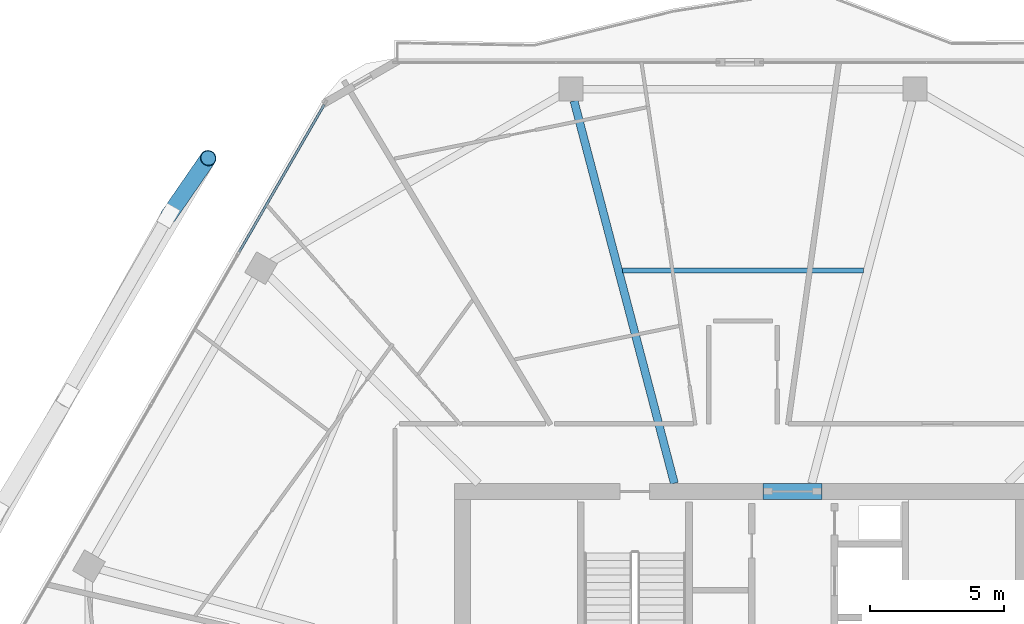
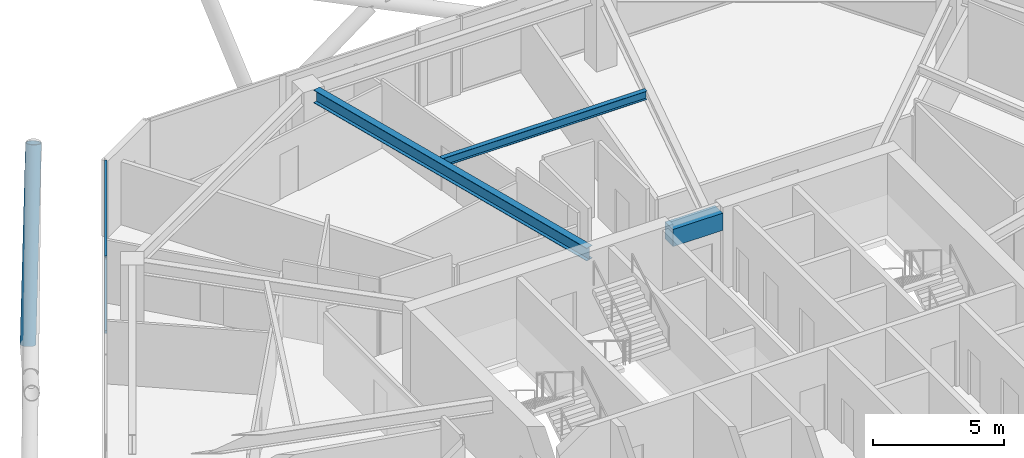
# One storey, part 14 of 28: 3 beams, 3 members, 1 element without a shape of its own.
"""IFC4 building model written with IfcOpenShell, lengths in metres."""

from ifc_helpers import new_model, si_unit, direction, frame, origin, origin_2d, place, context, subcontext, project, spatial, rectangle, hollow_rectangle, hollow_circle, i_section, extrude, material, material_profile, profile_set, type_object, element, aggregate, save


model = new_model("IFC4")

# Units and contexts
model_context = context("Model", 3, precision=1e-05, world=origin(), true_north=direction((0.0, 1.0)))
body_context = subcontext(model_context, "Body", "Model", "MODEL_VIEW")
ifc_project = project(units=[si_unit("LENGTHUNIT", "METRE"), si_unit("AREAUNIT", "SQUARE_METRE"), si_unit("VOLUMEUNIT", "CUBIC_METRE"), si_unit("PLANEANGLEUNIT", "RADIAN"), si_unit("MASSUNIT", "GRAM", prefix="KILO")], contexts=[model_context])

# Site, building, storey
site_placement = place(None, origin())
site = spatial("IfcSite", under=ifc_project, at=site_placement, CompositionType="ELEMENT")
building_placement = place(site_placement, origin())
building = spatial("IfcBuilding", under=site, at=building_placement, Name="Zuhravey Tower", CompositionType="ELEMENT")
storey_placement = place(building_placement, frame((0.0, 0.0, 254.0)))
storey = spatial("IfcBuildingStorey", under=building, at=storey_placement, Name="L64", CompositionType="ELEMENT", Elevation=254.0)

# Beam
ifc_material_1 = material(Name="Concrete C50/60", Category="concrete")
ifc_material_profile_1 = material_profile(ifc_material_1, rectangle(XDim=0.60009765625, YDim=0.800048828125, at=origin_2d()), Name="RC-600x800")
ifc_profile_set_1 = profile_set([ifc_material_profile_1], Name="Concrete C50/60")
beam_type_1 = type_object("IfcBeamType", Name="Core Coupling Beam RC600x800", PredefinedType="LINTEL", material=ifc_profile_set_1)
beam_1_placement = place(storey_placement, frame((36.751953125, 41.5, 3.14990234375), z_axis=(1.0, 0.0, 0.0), x_axis=(0.0, 1.0, 0.0)))
element("IfcBeam", 1, at=beam_1_placement, inside=storey, type_object=beam_type_1, Name="L64 CB2 BM-L64-CB-N", PredefinedType="LINTEL", context=body_context, shape_type="SweptSolid", body=[
    extrude(rectangle(XDim=0.60009765625, YDim=0.800048828125, at=origin_2d()), origin(), (0.0, 0.0, 1.0), 2.196044921875),
])

# Curtain wall, members
ifc_material_2 = material(Name="Thermally broken anodised aluminium", Category="aluminium")
curtain_wall_type = type_object("IfcCurtainWallType", Name="Zone 3-4 High-Rise Curtain Wall CW4", PredefinedType="NOTDEFINED", material=ifc_material_2)
curtain_wall_placement = place(storey_placement, origin())
curtain_wall = element("IfcCurtainWall", 2, at=curtain_wall_placement, inside=storey, type_object=curtain_wall_type, Name="L64 CW4 CW-L64-F3-1", PredefinedType="NOTDEFINED")
ifc_material_3 = material(Name="Anodised aluminium", Category="aluminium")
ifc_material_profile_2 = material_profile(ifc_material_3, hollow_rectangle(XDim=0.090087890625, YDim=0.14990234375, WallThickness=0.0048828125, at=origin_2d()), Name="ALU-RHS-90x150x5")
ifc_profile_set_2 = profile_set([ifc_material_profile_2], Name="Anodised aluminium")
member_type_1 = type_object("IfcMemberType", Name="Curtain-Wall Transom 90x150", PredefinedType="USERDEFINED", material=ifc_profile_set_2)
member_1_placement = place(storey_placement, frame((17.136962890625, 50.455322265625, 0.044921875), z_axis=(0.499980071345, 0.866036909293, 0.0), x_axis=(-0.866036909293, 0.499980071345, 0.0)))
member_1 = element("IfcMember", 3, at=member_1_placement, type_object=member_type_1, Name="CW4 transom 4.1", ObjectType="TRANSOM", PredefinedType="USERDEFINED", context=body_context, shape_type="SweptSolid", body=[
    extrude(hollow_rectangle(XDim=0.090087890625, YDim=0.14990234375, WallThickness=0.0048828125, at=origin_2d()), origin(), (0.0, 0.0, 1.0), 6.371337890625),
])
member_2_placement = place(storey_placement, frame((17.136962890625, 50.455322265625, 3.5048828125), z_axis=(0.499980071345, 0.866036909293, 0.0), x_axis=(-0.866036909293, 0.499980071345, 0.0)))
member_2 = element("IfcMember", 4, at=member_2_placement, type_object=member_type_1, Name="CW4 transom 4.2", ObjectType="TRANSOM", PredefinedType="USERDEFINED", context=body_context, shape_type="SweptSolid", body=[
    extrude(hollow_rectangle(XDim=0.090087890625, YDim=0.14990234375, WallThickness=0.0048828125, at=origin_2d()), origin(), (0.0, 0.0, 1.0), 6.371337890625),
])
aggregate(curtain_wall, [member_1, member_2])

# Member
ifc_material_4 = material(Name="Steel SM355", Category="steel")
ifc_material_profile_3 = material_profile(ifc_material_4, hollow_circle(Radius=0.3046875, WallThickness=0.028076171875, at=origin_2d()), Name="CHS-609.6x28")
ifc_profile_set_3 = profile_set([ifc_material_profile_3], Name="Steel SM355")
member_type_2 = type_object("IfcMemberType", Name="Exoskeleton Zone 3 Diagrid CHS610x28", PredefinedType="BRACE", material=ifc_profile_set_3)
member_3_placement = place(storey_placement, frame((14.49658203125, 51.821044921875, -0.446044921875), z_axis=(0.185576202579, 0.269244105879, 0.945023324837), x_axis=(-0.823369095739, 0.567506239773, 0.0)))
element("IfcMember", 5, at=member_3_placement, inside=storey, type_object=member_type_2, Name="L64 Face 3 Diagrid Brace 1", PredefinedType="BRACE", context=body_context, shape_type="SweptSolid", body=[
    extrude(hollow_circle(Radius=0.3046875, WallThickness=0.028076171875, at=origin_2d()), origin(), (0.0, 0.0, 1.0), 8.00390625),
])

# Beams
ifc_material_profile_4 = material_profile(ifc_material_4, i_section(OverallWidth=0.300048828125, OverallDepth=0.60009765625, WebThickness=0.011962890625, FlangeThickness=0.02001953125, at=origin_2d()), Name="H-600x300x12x20")
ifc_profile_set_4 = profile_set([ifc_material_profile_4], Name="Steel SM355")
beam_type_2 = type_object("IfcBeamType", Name="Radial Primary Girder H600x300", PredefinedType="BEAM", material=ifc_profile_set_4)
beam_2_placement = place(storey_placement, frame((33.428466796875, 41.802978515625, 3.25), z_axis=(-0.253731415841, 0.967274712073, 0.0), x_axis=(-0.967274712073, -0.253731415841, 0.0)))
element("IfcBeam", 6, at=beam_2_placement, inside=storey, type_object=beam_type_2, Name="L64 RG3 BM-L64-RAD-04", PredefinedType="BEAM", context=body_context, shape_type="SweptSolid", body=[
    extrude(i_section(OverallWidth=0.300048828125, OverallDepth=0.60009765625, WebThickness=0.011962890625, FlangeThickness=0.02001953125, at=origin_2d()), origin(), (0.0, 0.0, 1.0), 14.796630859375),
])
ifc_material_profile_5 = material_profile(ifc_material_4, i_section(OverallWidth=0.199951171875, OverallDepth=0.39990234375, WebThickness=0.008056640625, FlangeThickness=0.012939453125, at=origin_2d()), Name="H-400x200x8x13")
ifc_profile_set_5 = profile_set([ifc_material_profile_5], Name="Steel SM355")
beam_type_3 = type_object("IfcBeamType", Name="Secondary Floor Joist H400x200", PredefinedType="JOIST", material=ifc_profile_set_5)
beam_3_placement = place(storey_placement, frame((40.507080078125, 49.768310546875, 3.35009765625), z_axis=(-1.0, 0.0, 0.0), x_axis=(0.0, -1.0, 0.0)))
element("IfcBeam", 7, at=beam_3_placement, inside=storey, type_object=beam_type_3, Name="L64 SJ2 BM-L64-SJ-03-1", PredefinedType="JOIST", context=body_context, shape_type="SweptSolid", body=[
    extrude(i_section(OverallWidth=0.199951171875, OverallDepth=0.39990234375, WebThickness=0.008056640625, FlangeThickness=0.012939453125, at=origin_2d()), origin(), (0.0, 0.0, 1.0), 9.01416015625),
])

save(model, "model.ifc")
